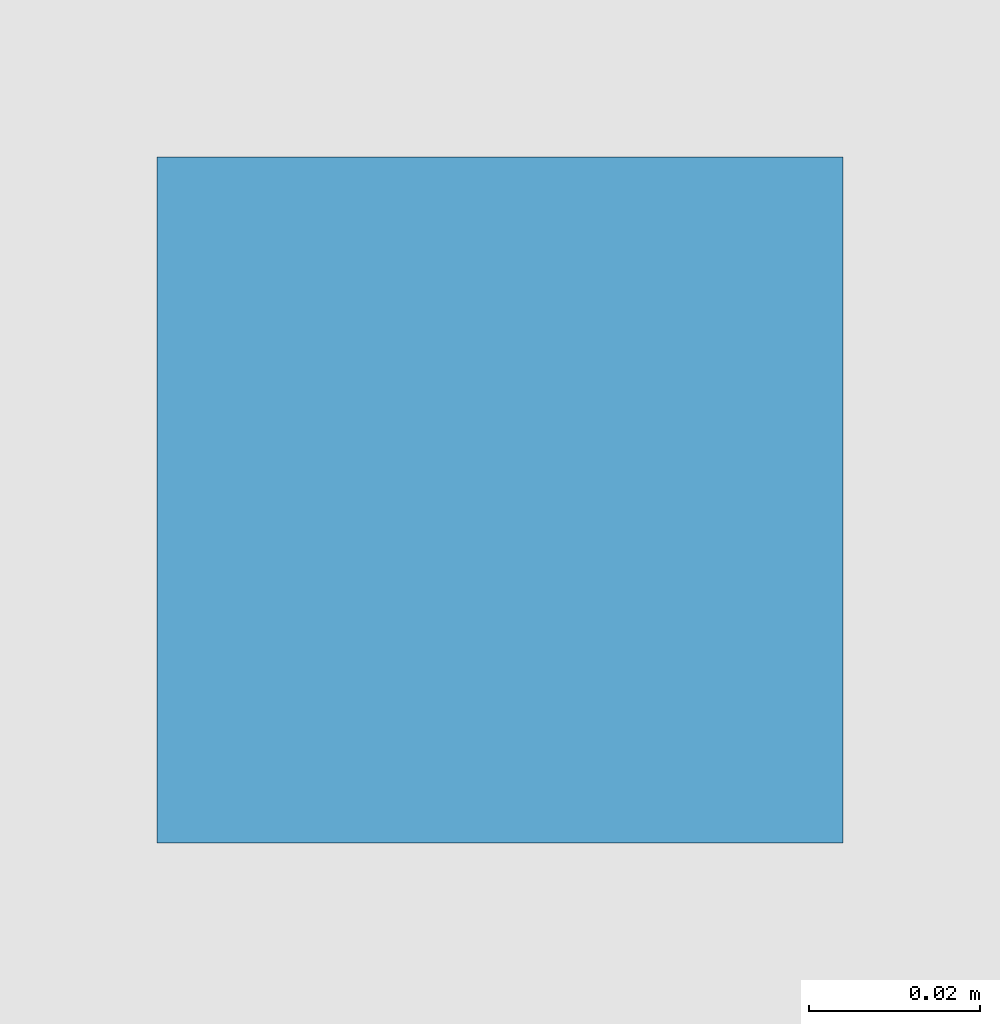
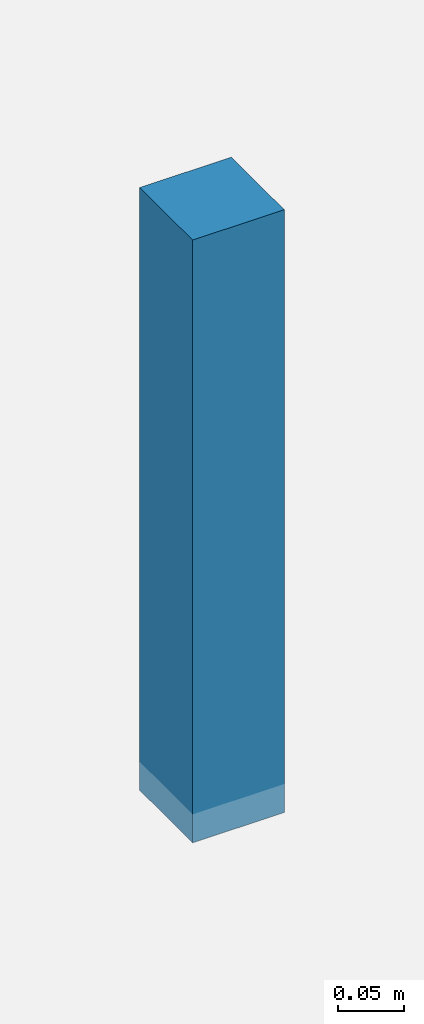
# One storey, part 106 of 116: 1 discrete accessory.
"""IFC4 building model written with IfcOpenShell, lengths in metres."""

from ifc_helpers import new_model, si_unit, direction, frame, origin, origin_2d, place, context, subcontext, project, spatial, rectangle, extrude, material, type_object, element, save


model = new_model("IFC4")

# Units and contexts
model_context = context("Model", 3, precision=1e-05, world=origin(), true_north=direction((0.0, 1.0)))
body_context = subcontext(model_context, "Body", "Model", "MODEL_VIEW")
ifc_project = project(units=[si_unit("LENGTHUNIT", "METRE"), si_unit("AREAUNIT", "SQUARE_METRE"), si_unit("VOLUMEUNIT", "CUBIC_METRE"), si_unit("PLANEANGLEUNIT", "RADIAN"), si_unit("MASSUNIT", "GRAM", prefix="KILO")], contexts=[model_context])

# Site, building, storey
site_placement = place(None, origin())
site = spatial("IfcSite", under=ifc_project, at=site_placement, CompositionType="ELEMENT")
building_placement = place(site_placement, origin())
building = spatial("IfcBuilding", under=site, at=building_placement, Name="Chalmorin Arch Market", CompositionType="ELEMENT")
storey_placement = place(building_placement, origin())
storey = spatial("IfcBuildingStorey", under=building, at=storey_placement, Name="L00", CompositionType="ELEMENT", Elevation=0.0)

# Discrete accessory
ifc_material = material(Name="Galvanized Cold-Formed Steel", Category="steel")
discrete_accessory_type = type_object("IfcDiscreteAccessoryType", Name="CeilingSuspensionBracket-80x80", PredefinedType="BRACKET", material=ifc_material)
discrete_accessory_placement = place(storey_placement, frame((130.0, 49.85009765625, 3.953125), z_axis=(0.0, 0.0, 1.0), x_axis=(1.0, 0.0, 0.0)))
element("IfcDiscreteAccessory", 1, at=discrete_accessory_placement, inside=storey, type_object=discrete_accessory_type, Name="CSB-089", PredefinedType="BRACKET", context=body_context, shape_type="SweptSolid", body=[
    extrude(rectangle(XDim=0.080078125, YDim=0.080078125, at=origin_2d()), origin(), (0.0, 0.0, 1.0), 0.556884765625),
])

save(model, "model.ifc")
